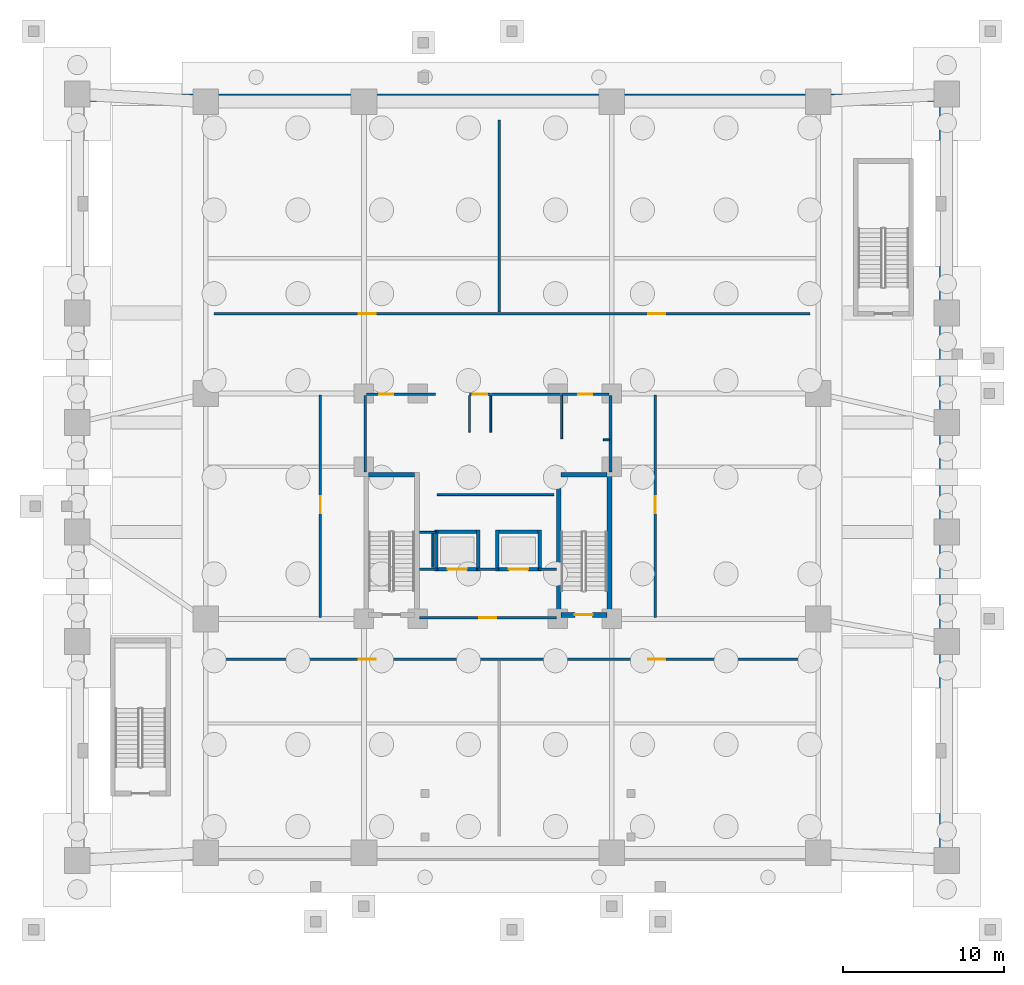
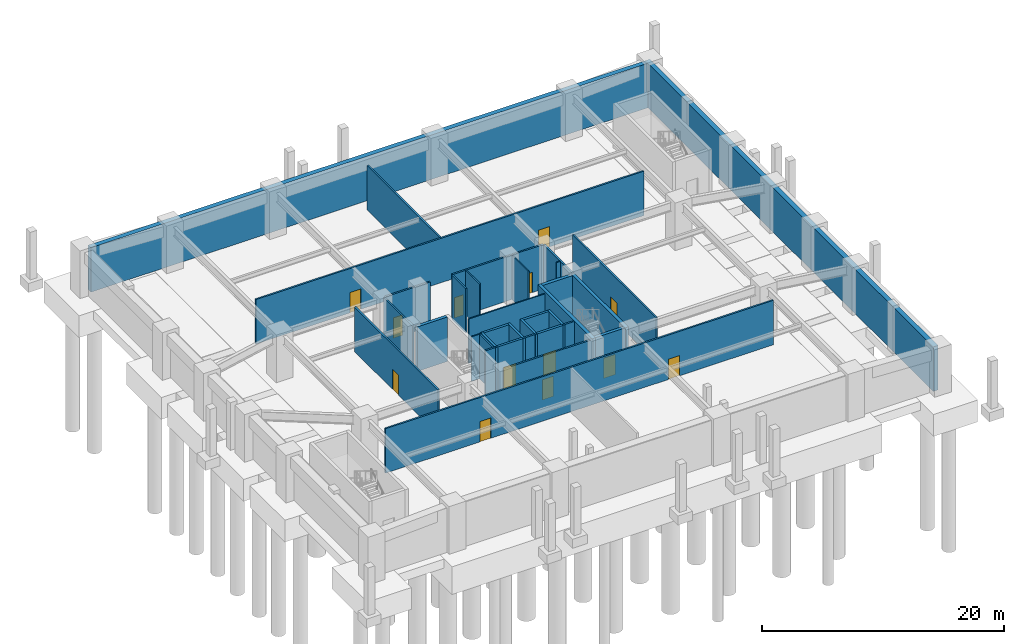
# One storey, part 4 of 8: 37 walls, 13 doors, 13 openings.
"""IFC4 building model written with IfcOpenShell, lengths in metres."""

from ifc_helpers import new_model, si_unit, derived_unit, direction, frame, frame_2d, origin, place, context, subcontext, project, spatial, rectangle, extrude, material, layer, layer_set, type_object, element, fill, save


model = new_model("IFC4")

# Units and contexts
model_context = context("Model", 3, precision=1e-05, world=origin(), true_north=direction((0.0, 1.0)))
body_context = subcontext(model_context, "Body", "Model", "MODEL_VIEW")
ifc_project = project(units=[si_unit("LENGTHUNIT", "METRE"), si_unit("AREAUNIT", "SQUARE_METRE"), si_unit("VOLUMEUNIT", "CUBIC_METRE"), si_unit("PLANEANGLEUNIT", "RADIAN"), si_unit("MASSUNIT", "GRAM", prefix="KILO"), derived_unit("THERMALTRANSMITTANCEUNIT", [(si_unit("MASSUNIT", "GRAM", prefix="KILO"), 1), (si_unit("TIMEUNIT", "SECOND"), -3), (si_unit("THERMODYNAMICTEMPERATUREUNIT", "KELVIN"), -1)])], contexts=[model_context])

# Site, building, storey
site_placement = place(None, origin())
site = spatial("IfcSite", under=ifc_project, at=site_placement, CompositionType="ELEMENT")
building_placement = place(site_placement, origin())
building = spatial("IfcBuilding", under=site, at=building_placement, Name="Korrvale Station Residences", CompositionType="ELEMENT")
storey_placement = place(building_placement, frame((0.0, 0.0, -9.60009765625)))
storey = spatial("IfcBuildingStorey", under=building, at=storey_placement, Name="B02", CompositionType="ELEMENT", Elevation=-9.60009765625)

# Walls
ifc_material_1 = material(Name="Concrete C70/85", Category="concrete")
ifc_layer_1 = layer(ifc_material_1, 0.300048828125, Name="Concrete C70/85")
ifc_layer_set_1 = layer_set([ifc_layer_1], Name="Concrete C70/85")
wall_type_1 = type_object("IfcWallType", Name="WAL-CORE-300-C70", PredefinedType="SHEAR", material=ifc_layer_set_1)
wall_1_placement = place(storey_placement, frame((18.10009765625, 23.949951171875, 0.0), z_axis=(0.0, 0.0, 1.0), x_axis=(1.0, 0.0, 0.0)))
element("IfcWall", 1, at=wall_1_placement, inside=storey, type_object=wall_type_1, Name="B02 ST-1 Core Shear Wall North", PredefinedType="SHEAR", context=body_context, shape_type="SweptSolid", body=[
    extrude(rectangle(XDim=2.849853515625, YDim=0.300048828125, at=frame_2d((1.4248046875, 0.0))), origin(), (0.0, 0.0, 1.0), 4.47998046875),
])
for number, where, z_axis, x_axis, name in (
    (2, (29.89990234375, 15.10009765625, 0.0), (0.0, 0.0, 1.0), (0.0, 1.0, 0.0), "B02 ST-2 Core Shear Wall West"),
    (3, (33.050048828125, 15.10009765625, 0.0), (0.0, 0.0, 1.0), (0.0, 1.0, 0.0), "B02 ST-2 Core Shear Wall East"),
):
    element("IfcWall", number, at=place(storey_placement, frame(where, z_axis=z_axis, x_axis=x_axis)), inside=storey, type_object=wall_type_1, Name=name, PredefinedType="SHEAR", context=body_context, shape_type="SweptSolid", body=[
        extrude(rectangle(XDim=9.0, YDim=0.300048828125, at=frame_2d((4.5, 0.0))), origin(), (0.0, 0.0, 1.0), 4.47998046875),
    ])
wall_2_placement = place(storey_placement, frame((30.050048828125, 23.949951171875, 0.0), z_axis=(0.0, 0.0, 1.0), x_axis=(1.0, 0.0, 0.0)))
element("IfcWall", 4, at=wall_2_placement, inside=storey, type_object=wall_type_1, Name="B02 ST-2 Core Shear Wall North", PredefinedType="SHEAR", context=body_context, shape_type="SweptSolid", body=[
    extrude(rectangle(XDim=2.849853515625, YDim=0.300048828125, at=frame_2d((1.4248046875, 0.0))), origin(), (0.0, 0.0, 1.0), 4.47998046875),
])

# Wall, opening, door
wall_3_placement = place(storey_placement, frame((30.050048828125, 15.25, 0.0), z_axis=(0.0, 0.0, 1.0), x_axis=(1.0, 0.0, 0.0)))
wall_3 = element("IfcWall", 5, at=wall_3_placement, inside=storey, type_object=wall_type_1, Name="B02 ST-2 Core Shear Wall South", PredefinedType="SHEAR", context=body_context, shape_type="SweptSolid", body=[
    extrude(rectangle(XDim=2.849853515625, YDim=0.300048828125, at=frame_2d((1.4248046875, 0.0))), origin(), (0.0, 0.0, 1.0), 4.47998046875),
])
opening_1_placement = place(wall_3_placement, frame((0.860107421875, 0.0, 0.0)))
opening_1 = element("IfcOpeningElement", 6, at=opening_1_placement, cuts=wall_3, Name="Opening SD-1100", PredefinedType="OPENING", context=body_context, shape_type="SweptSolid", body=[
    extrude(rectangle(XDim=1.10009765625, YDim=2.050048828125, at=frame_2d((0.550048828125, 1.02490234375))), frame((0.0, 0.16015625, 0.0), z_axis=(0.0, -1.0, 0.0), x_axis=(1.0, 0.0, 0.0)), (0.0, 0.0, 1.0), 0.320068359375),
])
ifc_material_2 = material(Name="Hollow-metal fire-rated stair door with closer", Category="steel")
door_type_1 = type_object("IfcDoorType", Name="DR-STAIR-1100", OperationType="NOTDEFINED", PredefinedType="DOOR", material=ifc_material_2)
door_1_placement = place(opening_1_placement, origin())
door_1 = element("IfcDoor", 7, at=door_1_placement, inside=storey, type_object=door_type_1, Name="B02 ST-2 Exit Stair Door", OperationType="SINGLE_SWING_RIGHT", OverallHeight=2.050048828125, OverallWidth=1.10009765625, PredefinedType="DOOR", context=body_context, shape_type="SweptSolid", body=[
    extrude(rectangle(XDim=1.10009765625, YDim=2.050048828125, at=frame_2d((0.550048828125, 1.02490234375))), frame((0.0, 0.02490234375, 0.0), z_axis=(0.0, -1.0, 0.0), x_axis=(1.0, 0.0, 0.0)), (0.0, 0.0, 1.0), 0.050048828125),
])
fill(opening_1, door_1)

# Walls
ifc_material_3 = material(Name="Acoustic steel-stud gypsum board partition", Category="steel")
ifc_layer_2 = layer(ifc_material_3, 0.1201171875, Name="Acoustic steel-stud gypsum board partition")
ifc_layer_set_2 = layer_set([ifc_layer_2], Name="Acoustic steel-stud gypsum board partition")
wall_type_2 = type_object("IfcWallType", Name="WAL-PART-125", PredefinedType="PARTITIONING", material=ifc_layer_set_2)
wall_4_placement = place(storey_placement, frame((22.080078125, 18.199951171875, 0.0), z_axis=(0.0, 0.0, 1.0), x_axis=(0.0, 1.0, 0.0)))
element("IfcWall", 8, at=wall_4_placement, inside=storey, type_object=wall_type_2, Name="B02 Core Partition CW-RSWT", PredefinedType="PARTITIONING", context=body_context, shape_type="SweptSolid", body=[
    extrude(rectangle(XDim=2.1201171875, YDim=0.1201171875, at=frame_2d((1.06005859375, 0.0))), origin(), (0.0, 0.0, 1.0), 4.47998046875),
])
wall_5_placement = place(storey_placement, frame((22.280029296875, 20.3798828125, 0.0), z_axis=(0.0, 0.0, 1.0), x_axis=(-1.0, 0.0, 0.0)))
element("IfcWall", 9, at=wall_5_placement, inside=storey, type_object=wall_type_2, Name="B02 Core Partition CW-RSWT-N", PredefinedType="PARTITIONING", context=body_context, shape_type="SweptSolid", body=[
    extrude(rectangle(XDim=1.02001953125, YDim=0.1201171875, at=frame_2d((0.510009765625, 0.0))), origin(), (0.0, 0.0, 1.0), 4.47998046875),
])
for number, where, z_axis, x_axis, name in (
    (10, (24.360107421875, 26.60009765625, 0.0), (0.0, 0.0, 1.0), (0.0, 1.0, 0.0), "B02 Core Partition CW-PSG-W"),
    (11, (25.679931640625, 26.60009765625, 0.0), (0.0, 0.0, 1.0), (0.0, 1.0, 0.0), "B02 Core Partition CW-PSG-E"),
):
    element("IfcWall", number, at=place(storey_placement, frame(where, z_axis=z_axis, x_axis=x_axis)), inside=storey, type_object=wall_type_2, Name=name, PredefinedType="PARTITIONING", context=body_context, shape_type="SweptSolid", body=[
        extrude(rectangle(XDim=2.27001953125, YDim=0.1201171875, at=frame_2d((1.135009765625, 0.0))), origin(), (0.0, 0.0, 1.0), 4.47998046875),
    ])
wall_6_placement = place(storey_placement, frame((30.080078125, 26.179931640625, 0.0), z_axis=(0.0, 0.0, 1.0), x_axis=(0.0, 1.0, 0.0)))
element("IfcWall", 12, at=wall_6_placement, inside=storey, type_object=wall_type_2, Name="B02 Core Partition CW-CS-W", PredefinedType="PARTITIONING", context=body_context, shape_type="SweptSolid", body=[
    extrude(rectangle(XDim=2.68017578125, YDim=0.1201171875, at=frame_2d((1.340087890625, 0.0))), origin(), (0.0, 0.0, 1.0), 4.47998046875),
])
wall_7_placement = place(storey_placement, frame((32.679931640625, 26.1201171875, 0.0), z_axis=(0.0, 0.0, 1.0), x_axis=(1.0, 0.0, 0.0)))
element("IfcWall", 13, at=wall_7_placement, inside=storey, type_object=wall_type_2, Name="B02 Core Partition CW-CS-S", PredefinedType="PARTITIONING", context=body_context, shape_type="SweptSolid", body=[
    extrude(rectangle(XDim=0.380126953125, YDim=0.1201171875, at=frame_2d((0.18994140625, 0.0))), origin(), (0.0, 0.0, 1.0), 4.47998046875),
])
wall_8_placement = place(storey_placement, frame((22.35009765625, 22.719970703125, 0.0), z_axis=(0.0, 0.0, 1.0), x_axis=(1.0, 0.0, 0.0)))
element("IfcWall", 14, at=wall_8_placement, inside=storey, type_object=wall_type_2, Name="B02 Core Partition CW-BM-M", PredefinedType="PARTITIONING", context=body_context, shape_type="SweptSolid", body=[
    extrude(rectangle(XDim=7.25, YDim=0.1201171875, at=frame_2d((3.625, 0.0))), origin(), (0.0, 0.0, 1.0), 4.47998046875),
])

# Wall, opening, door
ifc_material_4 = material(Name="Fire-rated twin-stud gypsum and mineral wool shaftwall assembly", Category="gypsum")
ifc_layer_3 = layer(ifc_material_4, 0.159912109375, Name="Fire-rated twin-stud gypsum and mineral wool shaftwall assembly")
ifc_layer_set_3 = layer_set([ifc_layer_3], Name="Fire-rated twin-stud gypsum and mineral wool shaftwall assembly")
wall_type_3 = type_object("IfcWallType", Name="WAL-PART-200", PredefinedType="PARTITIONING", material=ifc_layer_set_3)
wall_9_placement = place(storey_placement, frame((21.25, 15.080078125, 0.0), z_axis=(0.0, 0.0, 1.0), x_axis=(1.0, 0.0, 0.0)))
wall_9 = element("IfcWall", 15, at=wall_9_placement, inside=storey, type_object=wall_type_3, Name="B02 Core Partition CW-FFL-S", PredefinedType="PARTITIONING", context=body_context, shape_type="SweptSolid", body=[
    extrude(rectangle(XDim=8.5, YDim=0.159912109375, at=frame_2d((4.25, 0.0))), origin(), (0.0, 0.0, 1.0), 4.47998046875),
])
opening_2_placement = place(wall_9_placement, frame((3.72509765625, 0.0, 0.0)))
opening_2 = element("IfcOpeningElement", 16, at=opening_2_placement, cuts=wall_9, Name="Opening FD-1050", PredefinedType="OPENING", context=body_context, shape_type="SweptSolid", body=[
    extrude(rectangle(XDim=1.050048828125, YDim=2.050048828125, at=frame_2d((0.52490234375, 1.02490234375))), frame((0.0, 0.08984375, 0.0), z_axis=(0.0, -1.0, 0.0), x_axis=(1.0, 0.0, 0.0)), (0.0, 0.0, 1.0), 0.179931640625),
])
ifc_material_5 = material(Name="Fire-rated mineral-core timber lobby door", Category="wood")
door_type_2 = type_object("IfcDoorType", Name="DR-CORE-1050", OperationType="NOTDEFINED", PredefinedType="DOOR", material=ifc_material_5)
door_2_placement = place(opening_2_placement, origin())
door_2 = element("IfcDoor", 17, at=door_2_placement, inside=storey, type_object=door_type_2, Name="B02 Firefighting Lobby Entry Door", OperationType="SINGLE_SWING_LEFT", OverallHeight=2.050048828125, OverallWidth=1.050048828125, PredefinedType="DOOR", context=body_context, shape_type="SweptSolid", body=[
    extrude(rectangle(XDim=1.050048828125, YDim=2.050048828125, at=frame_2d((0.52490234375, 1.02490234375))), frame((0.0, 0.02490234375, 0.0), z_axis=(0.0, -1.0, 0.0), x_axis=(1.0, 0.0, 0.0)), (0.0, 0.0, 1.0), 0.050048828125),
])
fill(opening_2, door_2)

# Walls
wall_10_placement = place(storey_placement, frame((21.25, 18.080078125, 0.0), z_axis=(0.0, 0.0, 1.0), x_axis=(1.0, 0.0, 0.0)))
element("IfcWall", 18, at=wall_10_placement, inside=storey, type_object=wall_type_3, Name="B02 Core Partition CW-FFL-N1", PredefinedType="PARTITIONING", context=body_context, shape_type="SweptSolid", body=[
    extrude(rectangle(XDim=1.10009765625, YDim=0.159912109375, at=frame_2d((0.550048828125, 0.0))), origin(), (0.0, 0.0, 1.0), 4.47998046875),
])
wall_11_placement = place(storey_placement, frame((24.85009765625, 18.080078125, 0.0), z_axis=(0.0, 0.0, 1.0), x_axis=(1.0, 0.0, 0.0)))
element("IfcWall", 19, at=wall_11_placement, inside=storey, type_object=wall_type_3, Name="B02 Core Partition CW-FFL-N2", PredefinedType="PARTITIONING", context=body_context, shape_type="SweptSolid", body=[
    extrude(rectangle(XDim=1.2998046875, YDim=0.159912109375, at=frame_2d((0.64990234375, 0.0))), origin(), (0.0, 0.0, 1.0), 4.47998046875),
])
wall_12_placement = place(storey_placement, frame((28.64990234375, 18.080078125, 0.0), z_axis=(0.0, 0.0, 1.0), x_axis=(1.0, 0.0, 0.0)))
element("IfcWall", 20, at=wall_12_placement, inside=storey, type_object=wall_type_3, Name="B02 Core Partition CW-FFL-N3", PredefinedType="PARTITIONING", context=body_context, shape_type="SweptSolid", body=[
    extrude(rectangle(XDim=1.10009765625, YDim=0.159912109375, at=frame_2d((0.550048828125, 0.0))), origin(), (0.0, 0.0, 1.0), 4.47998046875),
])
for number, where, z_axis, x_axis, name in (
    (21, (17.8798828125, 24.1201171875, 0.0), (0.0, 0.0, 1.0), (0.0, 1.0, 0.0), "B02 Core Partition CW-W-N"),
    (22, (33.1201171875, 24.1201171875, 0.0), (0.0, 0.0, 1.0), (0.0, 1.0, 0.0), "B02 Core Partition CW-E-N"),
):
    element("IfcWall", number, at=place(storey_placement, frame(where, z_axis=z_axis, x_axis=x_axis)), inside=storey, type_object=wall_type_3, Name=name, PredefinedType="PARTITIONING", context=body_context, shape_type="SweptSolid", body=[
        extrude(rectangle(XDim=4.759765625, YDim=0.159912109375, at=frame_2d((2.3798828125, 0.0))), origin(), (0.0, 0.0, 1.0), 4.47998046875),
    ])

# Wall, opening, door
wall_13_placement = place(storey_placement, frame((24.360107421875, 28.949951171875, 0.0), z_axis=(0.0, 0.0, 1.0), x_axis=(1.0, 0.0, 0.0)))
wall_13 = element("IfcWall", 23, at=wall_13_placement, inside=storey, type_object=wall_type_3, Name="B02 Core Partition CW-LLOB-N", PredefinedType="PARTITIONING", context=body_context, shape_type="SweptSolid", body=[
    extrude(rectangle(XDim=1.31982421875, YDim=0.159912109375, at=frame_2d((0.659912109375, 0.0))), origin(), (0.0, 0.0, 1.0), 4.47998046875),
])
opening_3_placement = place(wall_13_placement, frame((0.2099609375, 0.0, 0.0)))
opening_3 = element("IfcOpeningElement", 24, at=opening_3_placement, cuts=wall_13, Name="Opening DI-900", PredefinedType="OPENING", context=body_context, shape_type="SweptSolid", body=[
    extrude(rectangle(XDim=0.89990234375, YDim=2.050048828125, at=frame_2d((0.449951171875, 1.02490234375))), frame((0.0, 0.08984375, 0.0), z_axis=(0.0, -1.0, 0.0), x_axis=(1.0, 0.0, 0.0)), (0.0, 0.0, 1.0), 0.179931640625),
])
ifc_material_6 = material(Name="Painted solid-core timber interior room door", Category="wood")
door_type_3 = type_object("IfcDoorType", Name="DR-INT-900", OperationType="NOTDEFINED", PredefinedType="DOOR", material=ifc_material_6)
door_3_placement = place(opening_3_placement, origin())
door_3 = element("IfcDoor", 25, at=door_3_placement, inside=storey, type_object=door_type_3, Name="B02 Central Hallway North Passage Door", OperationType="SINGLE_SWING_RIGHT", OverallHeight=2.050048828125, OverallWidth=0.89990234375, PredefinedType="DOOR", context=body_context, shape_type="SweptSolid", body=[
    extrude(rectangle(XDim=0.89990234375, YDim=2.050048828125, at=frame_2d((0.449951171875, 1.02490234375))), frame((0.0, 0.02490234375, 0.0), z_axis=(0.0, -1.0, 0.0), x_axis=(1.0, 0.0, 0.0)), (0.0, 0.0, 1.0), 0.050048828125),
])
fill(opening_3, door_3)

wall_14_placement = place(storey_placement, frame((17.9599609375, 28.949951171875, 0.0), z_axis=(0.0, 0.0, 1.0), x_axis=(1.0, 0.0, 0.0)))
wall_14 = element("IfcWall", 26, at=wall_14_placement, inside=storey, type_object=wall_type_3, Name="B02 Core Partition CW-NW", PredefinedType="PARTITIONING", context=body_context, shape_type="SweptSolid", body=[
    extrude(rectangle(XDim=4.2900390625, YDim=0.159912109375, at=frame_2d((2.14501953125, 0.0))), origin(), (0.0, 0.0, 1.0), 4.47998046875),
])
opening_4_placement = place(wall_14_placement, frame((0.794921875, 0.0, 0.0)))
opening_4 = element("IfcOpeningElement", 27, at=opening_4_placement, cuts=wall_14, Name="Opening DB-860", PredefinedType="OPENING", context=body_context, shape_type="SweptSolid", body=[
    extrude(rectangle(XDim=0.860107421875, YDim=2.050048828125, at=frame_2d((0.43017578125, 1.02490234375))), frame((0.0, 0.08984375, 0.0), z_axis=(0.0, -1.0, 0.0), x_axis=(1.0, 0.0, 0.0)), (0.0, 0.0, 1.0), 0.179931640625),
])
ifc_material_7 = material(Name="Moisture-resistant solid-core bathroom door", Category="timber")
door_type_4 = type_object("IfcDoorType", Name="DR-BATH-860", OperationType="NOTDEFINED", PredefinedType="DOOR", material=ifc_material_7)
door_4_placement = place(opening_4_placement, origin())
door_4 = element("IfcDoor", 28, at=door_4_placement, inside=storey, type_object=door_type_4, Name="B02 Electrical Riser Access Door", OperationType="SINGLE_SWING_LEFT", OverallHeight=2.050048828125, OverallWidth=0.860107421875, PredefinedType="DOOR", context=body_context, shape_type="SweptSolid", body=[
    extrude(rectangle(XDim=0.860107421875, YDim=2.050048828125, at=frame_2d((0.43017578125, 1.02490234375))), frame((0.0, 0.02490234375, 0.0), z_axis=(0.0, -1.0, 0.0), x_axis=(1.0, 0.0, 0.0)), (0.0, 0.0, 1.0), 0.050048828125),
])
fill(opening_4, door_4)

wall_15_placement = place(storey_placement, frame((30.080078125, 28.949951171875, 0.0), z_axis=(0.0, 0.0, 1.0), x_axis=(1.0, 0.0, 0.0)))
wall_15 = element("IfcWall", 29, at=wall_15_placement, inside=storey, type_object=wall_type_3, Name="B02 Core Partition CW-CS-N", PredefinedType="PARTITIONING", context=body_context, shape_type="SweptSolid", body=[
    extrude(rectangle(XDim=2.9599609375, YDim=0.159912109375, at=frame_2d((1.47998046875, 0.0))), origin(), (0.0, 0.0, 1.0), 4.47998046875),
])
opening_5_placement = place(wall_15_placement, frame((1.044921875, 0.0, 0.0)))
opening_5 = element("IfcOpeningElement", 30, at=opening_5_placement, cuts=wall_15, Name="Opening DB-860", PredefinedType="OPENING", context=body_context, shape_type="SweptSolid", body=[
    extrude(rectangle(XDim=0.860107421875, YDim=2.050048828125, at=frame_2d((0.43017578125, 1.02490234375))), frame((0.0, 0.08984375, 0.0), z_axis=(0.0, -1.0, 0.0), x_axis=(1.0, 0.0, 0.0)), (0.0, 0.0, 1.0), 0.179931640625),
])
door_5_placement = place(opening_5_placement, origin())
door_5 = element("IfcDoor", 31, at=door_5_placement, inside=storey, type_object=door_type_4, Name="B02 Core Equipment Room Door", OperationType="SINGLE_SWING_RIGHT", OverallHeight=2.050048828125, OverallWidth=0.860107421875, PredefinedType="DOOR", context=body_context, shape_type="SweptSolid", body=[
    extrude(rectangle(XDim=0.860107421875, YDim=2.050048828125, at=frame_2d((0.43017578125, 1.02490234375))), frame((0.0, 0.02490234375, 0.0), z_axis=(0.0, -1.0, 0.0), x_axis=(1.0, 0.0, 0.0)), (0.0, 0.0, 1.0), 0.050048828125),
])
fill(opening_5, door_5)

# Wall
wall_16_placement = place(storey_placement, frame((25.719970703125, 28.949951171875, 0.0), z_axis=(0.0, 0.0, 1.0), x_axis=(1.0, 0.0, 0.0)))
element("IfcWall", 32, at=wall_16_placement, inside=storey, type_object=wall_type_3, Name="B02 Core Partition CW-BM-N", PredefinedType="PARTITIONING", context=body_context, shape_type="SweptSolid", body=[
    extrude(rectangle(XDim=4.300048828125, YDim=0.159912109375, at=frame_2d((2.14990234375, 0.0))), origin(), (0.0, 0.0, 1.0), 4.47998046875),
])

# Wall, openings, doors
wall_17_placement = place(storey_placement, frame((8.5, 12.5, 0.0), z_axis=(0.0, 0.0, 1.0), x_axis=(1.0, 0.0, 0.0)))
wall_17 = element("IfcWall", 33, at=wall_17_placement, inside=storey, type_object=wall_type_3, Name="B02 Interior Partition W-S1", PredefinedType="PARTITIONING", context=body_context, shape_type="SweptSolid", body=[
    extrude(rectangle(XDim=37.0, YDim=0.159912109375, at=frame_2d((18.5, 0.0))), origin(), (0.0, 0.0, 1.0), 4.47998046875),
])
opening_6_placement = place(wall_17_placement, frame((8.97509765625, 0.0, 0.0)))
opening_6 = element("IfcOpeningElement", 34, at=opening_6_placement, cuts=wall_17, Name="Opening FD-1050", PredefinedType="OPENING", context=body_context, shape_type="SweptSolid", body=[
    extrude(rectangle(XDim=1.050048828125, YDim=2.050048828125, at=frame_2d((0.52490234375, 1.02490234375))), frame((0.0, 0.08984375, 0.0), z_axis=(0.0, -1.0, 0.0), x_axis=(1.0, 0.0, 0.0)), (0.0, 0.0, 1.0), 0.179931640625),
])
opening_7_placement = place(wall_17_placement, frame((26.97509765625, 0.0, 0.0)))
opening_7 = element("IfcOpeningElement", 35, at=opening_7_placement, cuts=wall_17, Name="Opening FD-1050", PredefinedType="OPENING", context=body_context, shape_type="SweptSolid", body=[
    extrude(rectangle(XDim=1.050048828125, YDim=2.050048828125, at=frame_2d((0.52490234375, 1.02490234375))), frame((0.0, 0.08984375, 0.0), z_axis=(0.0, -1.0, 0.0), x_axis=(1.0, 0.0, 0.0)), (0.0, 0.0, 1.0), 0.179931640625),
])
door_6_placement = place(opening_6_placement, origin())
door_6 = element("IfcDoor", 36, at=door_6_placement, inside=storey, type_object=door_type_2, Name="B02 Booster Pump Room Door", OperationType="SINGLE_SWING_LEFT", OverallHeight=2.050048828125, OverallWidth=1.050048828125, PredefinedType="DOOR", context=body_context, shape_type="SweptSolid", body=[
    extrude(rectangle(XDim=1.050048828125, YDim=2.050048828125, at=frame_2d((0.52490234375, 1.02490234375))), frame((0.0, 0.02490234375, 0.0), z_axis=(0.0, -1.0, 0.0), x_axis=(1.0, 0.0, 0.0)), (0.0, 0.0, 1.0), 0.050048828125),
])
fill(opening_6, door_6)
door_7_placement = place(opening_7_placement, origin())
door_7 = element("IfcDoor", 37, at=door_7_placement, inside=storey, type_object=door_type_2, Name="B02 Stormwater Plant Door", OperationType="SINGLE_SWING_RIGHT", OverallHeight=2.050048828125, OverallWidth=1.050048828125, PredefinedType="DOOR", context=body_context, shape_type="SweptSolid", body=[
    extrude(rectangle(XDim=1.050048828125, YDim=2.050048828125, at=frame_2d((0.52490234375, 1.02490234375))), frame((0.0, 0.02490234375, 0.0), z_axis=(0.0, -1.0, 0.0), x_axis=(1.0, 0.0, 0.0)), (0.0, 0.0, 1.0), 0.050048828125),
])
fill(opening_7, door_7)

wall_18_placement = place(storey_placement, frame((8.5, 33.949951171875, 0.0), z_axis=(0.0, 0.0, 1.0), x_axis=(1.0, 0.0, 0.0)))
wall_18 = element("IfcWall", 38, at=wall_18_placement, inside=storey, type_object=wall_type_3, Name="B02 Interior Partition W-N1", PredefinedType="PARTITIONING", context=body_context, shape_type="SweptSolid", body=[
    extrude(rectangle(XDim=37.0, YDim=0.159912109375, at=frame_2d((18.5, 0.0))), origin(), (0.0, 0.0, 1.0), 4.47998046875),
])
opening_8_placement = place(wall_18_placement, frame((8.97509765625, 0.0, 0.0)))
opening_8 = element("IfcOpeningElement", 39, at=opening_8_placement, cuts=wall_18, Name="Opening FD-1050", PredefinedType="OPENING", context=body_context, shape_type="SweptSolid", body=[
    extrude(rectangle(XDim=1.050048828125, YDim=2.050048828125, at=frame_2d((0.52490234375, 1.02490234375))), frame((0.0, 0.08984375, 0.0), z_axis=(0.0, -1.0, 0.0), x_axis=(1.0, 0.0, 0.0)), (0.0, 0.0, 1.0), 0.179931640625),
])
opening_9_placement = place(wall_18_placement, frame((26.97509765625, 0.0, 0.0)))
opening_9 = element("IfcOpeningElement", 40, at=opening_9_placement, cuts=wall_18, Name="Opening FD-1050", PredefinedType="OPENING", context=body_context, shape_type="SweptSolid", body=[
    extrude(rectangle(XDim=1.050048828125, YDim=2.050048828125, at=frame_2d((0.52490234375, 1.02490234375))), frame((0.0, 0.08984375, 0.0), z_axis=(0.0, -1.0, 0.0), x_axis=(1.0, 0.0, 0.0)), (0.0, 0.0, 1.0), 0.179931640625),
])
door_8_placement = place(opening_8_placement, origin())
door_8 = element("IfcDoor", 41, at=door_8_placement, inside=storey, type_object=door_type_2, Name="B02 Substation Vault Door", OperationType="SINGLE_SWING_LEFT", OverallHeight=2.050048828125, OverallWidth=1.050048828125, PredefinedType="DOOR", context=body_context, shape_type="SweptSolid", body=[
    extrude(rectangle(XDim=1.050048828125, YDim=2.050048828125, at=frame_2d((0.52490234375, 1.02490234375))), frame((0.0, 0.02490234375, 0.0), z_axis=(0.0, -1.0, 0.0), x_axis=(1.0, 0.0, 0.0)), (0.0, 0.0, 1.0), 0.050048828125),
])
fill(opening_8, door_8)
door_9_placement = place(opening_9_placement, origin())
door_9 = element("IfcDoor", 42, at=door_9_placement, inside=storey, type_object=door_type_2, Name="B02 Generator Plant Door", OperationType="SINGLE_SWING_RIGHT", OverallHeight=2.050048828125, OverallWidth=1.050048828125, PredefinedType="DOOR", context=body_context, shape_type="SweptSolid", body=[
    extrude(rectangle(XDim=1.050048828125, YDim=2.050048828125, at=frame_2d((0.52490234375, 1.02490234375))), frame((0.0, 0.02490234375, 0.0), z_axis=(0.0, -1.0, 0.0), x_axis=(1.0, 0.0, 0.0)), (0.0, 0.0, 1.0), 0.050048828125),
])
fill(opening_9, door_9)

# Wall
wall_19_placement = place(storey_placement, frame((26.199951171875, 34.050048828125, 0.0), z_axis=(0.0, 0.0, 1.0), x_axis=(0.0, 1.0, 0.0)))
element("IfcWall", 43, at=wall_19_placement, inside=storey, type_object=wall_type_3, Name="B02 Interior Partition W-M2", PredefinedType="PARTITIONING", context=body_context, shape_type="SweptSolid", body=[
    extrude(rectangle(XDim=11.949951171875, YDim=0.159912109375, at=frame_2d((5.97509765625, 0.0))), origin(), (0.0, 0.0, 1.0), 4.47998046875),
])

# Wall, opening, door
wall_20_placement = place(storey_placement, frame((15.10009765625, 15.10009765625, 0.0), z_axis=(0.0, 0.0, 1.0), x_axis=(0.0, 1.0, 0.0)))
wall_20 = element("IfcWall", 44, at=wall_20_placement, inside=storey, type_object=wall_type_3, Name="B02 Interior Partition W-W1", PredefinedType="PARTITIONING", context=body_context, shape_type="SweptSolid", body=[
    extrude(rectangle(XDim=13.7998046875, YDim=0.159912109375, at=frame_2d((6.89990234375, 0.0))), origin(), (0.0, 0.0, 1.0), 4.47998046875),
])
opening_10_placement = place(wall_20_placement, frame((6.47509765625, 0.0, 0.0)))
opening_10 = element("IfcOpeningElement", 45, at=opening_10_placement, cuts=wall_20, Name="Opening FD-1050", PredefinedType="OPENING", context=body_context, shape_type="SweptSolid", body=[
    extrude(rectangle(XDim=1.050048828125, YDim=2.050048828125, at=frame_2d((0.52490234375, 1.02490234375))), frame((0.0, 0.08984375, 0.0), z_axis=(0.0, -1.0, 0.0), x_axis=(1.0, 0.0, 0.0)), (0.0, 0.0, 1.0), 0.179931640625),
])
door_10_placement = place(opening_10_placement, origin())
door_10 = element("IfcDoor", 46, at=door_10_placement, inside=storey, type_object=door_type_2, Name="B02 Bicycle Vault Door", OperationType="SINGLE_SWING_LEFT", OverallHeight=2.050048828125, OverallWidth=1.050048828125, PredefinedType="DOOR", context=body_context, shape_type="SweptSolid", body=[
    extrude(rectangle(XDim=1.050048828125, YDim=2.050048828125, at=frame_2d((0.52490234375, 1.02490234375))), frame((0.0, 0.02490234375, 0.0), z_axis=(0.0, -1.0, 0.0), x_axis=(1.0, 0.0, 0.0)), (0.0, 0.0, 1.0), 0.050048828125),
])
fill(opening_10, door_10)

wall_21_placement = place(storey_placement, frame((35.89990234375, 15.10009765625, 0.0), z_axis=(0.0, 0.0, 1.0), x_axis=(0.0, 1.0, 0.0)))
wall_21 = element("IfcWall", 47, at=wall_21_placement, inside=storey, type_object=wall_type_3, Name="B02 Interior Partition W-E1", PredefinedType="PARTITIONING", context=body_context, shape_type="SweptSolid", body=[
    extrude(rectangle(XDim=13.7998046875, YDim=0.159912109375, at=frame_2d((6.89990234375, 0.0))), origin(), (0.0, 0.0, 1.0), 4.47998046875),
])
opening_11_placement = place(wall_21_placement, frame((6.47509765625, 0.0, 0.0)))
opening_11 = element("IfcOpeningElement", 48, at=opening_11_placement, cuts=wall_21, Name="Opening FD-1050", PredefinedType="OPENING", context=body_context, shape_type="SweptSolid", body=[
    extrude(rectangle(XDim=1.050048828125, YDim=2.050048828125, at=frame_2d((0.52490234375, 1.02490234375))), frame((0.0, 0.08984375, 0.0), z_axis=(0.0, -1.0, 0.0), x_axis=(1.0, 0.0, 0.0)), (0.0, 0.0, 1.0), 0.179931640625),
])
door_11_placement = place(opening_11_placement, origin())
door_11 = element("IfcDoor", 49, at=door_11_placement, inside=storey, type_object=door_type_2, Name="B02 Refuse Compactor Room Door", OperationType="SINGLE_SWING_RIGHT", OverallHeight=2.050048828125, OverallWidth=1.050048828125, PredefinedType="DOOR", context=body_context, shape_type="SweptSolid", body=[
    extrude(rectangle(XDim=1.050048828125, YDim=2.050048828125, at=frame_2d((0.52490234375, 1.02490234375))), frame((0.0, 0.02490234375, 0.0), z_axis=(0.0, -1.0, 0.0), x_axis=(1.0, 0.0, 0.0)), (0.0, 0.0, 1.0), 0.050048828125),
])
fill(opening_11, door_11)

# Walls
ifc_material_8 = material(Name="Concrete C50/60", Category="concrete")
ifc_layer_4 = layer(ifc_material_8, 0.449951171875, Name="Concrete C50/60")
ifc_layer_set_4 = layer_set([ifc_layer_4], Name="Concrete C50/60")
wall_type_4 = type_object("IfcWallType", Name="WAL-RET-450", PredefinedType="USERDEFINED", material=ifc_layer_set_4)
wall_22_placement = place(storey_placement, frame((0.449951171875, 47.375, 0.0), z_axis=(0.0, 0.0, 1.0), x_axis=(1.0, 0.0, 0.0)))
element("IfcWall", 50, at=wall_22_placement, inside=storey, type_object=wall_type_4, Name="B02 Perimeter Basement Retaining Wall N", ObjectType="RETAININGWALL", PredefinedType="USERDEFINED", context=body_context, shape_type="SweptSolid", body=[
    extrude(rectangle(XDim=53.10009765625, YDim=0.449951171875, at=frame_2d((26.550048828125, 0.0))), origin(), (0.0, 0.0, 1.0), 4.47998046875),
])
wall_23_placement = place(storey_placement, frame((53.77490234375, 47.60009765625, 0.0), z_axis=(0.0, 0.0, 1.0), x_axis=(0.0, -1.0, 0.0)))
element("IfcWall", 51, at=wall_23_placement, inside=storey, type_object=wall_type_4, Name="B02 Perimeter Basement Retaining Wall E", ObjectType="RETAININGWALL", PredefinedType="USERDEFINED", context=body_context, shape_type="SweptSolid", body=[
    extrude(rectangle(XDim=47.60009765625, YDim=0.449951171875, at=frame_2d((23.800048828125, 0.0))), origin(), (0.0, 0.0, 1.0), 4.47998046875),
])

# Wall, opening, door
ifc_layer_5 = layer(ifc_material_1, 0.219970703125, Name="Concrete C70/85")
ifc_layer_set_5 = layer_set([ifc_layer_5], Name="Concrete C70/85")
wall_type_5 = type_object("IfcWallType", Name="WAL-SHAFT-220-C70", PredefinedType="SHEAR", material=ifc_layer_set_5)
wall_24_placement = place(storey_placement, frame((22.39990234375, 18.090087890625, 0.0), z_axis=(0.0, 0.0, 1.0), x_axis=(1.0, 0.0, 0.0)))
wall_24 = element("IfcWall", 52, at=wall_24_placement, inside=storey, type_object=wall_type_5, Name="B02 Elevator FFL-1 Hoistway Wall South", PredefinedType="SHEAR", context=body_context, shape_type="SweptSolid", body=[
    extrude(rectangle(XDim=2.400146484375, YDim=0.219970703125, at=frame_2d((1.2001953125, 0.0))), origin(), (0.0, 0.0, 1.0), 4.47998046875),
])
opening_12_placement = place(wall_24_placement, frame((0.60009765625, 0.0, 0.0)))
opening_12 = element("IfcOpeningElement", 53, at=opening_12_placement, cuts=wall_24, Name="Opening LD-FF1200", PredefinedType="OPENING", context=body_context, shape_type="SweptSolid", body=[
    extrude(rectangle(XDim=1.199951171875, YDim=2.14990234375, at=frame_2d((0.60009765625, 1.074951171875))), frame((0.0, 0.1201171875, 0.0), z_axis=(0.0, -1.0, 0.0), x_axis=(1.0, 0.0, 0.0)), (0.0, 0.0, 1.0), 0.239990234375),
])
ifc_material_9 = material(Name="Stainless-steel firefighter elevator landing sliding door", Category="steel")
door_type_5 = type_object("IfcDoorType", Name="DR-LIFT-FF1200", OperationType="SLIDING_TO_LEFT", PredefinedType="DOOR", material=ifc_material_9)
door_12_placement = place(opening_12_placement, origin())
door_12 = element("IfcDoor", 54, at=door_12_placement, inside=storey, type_object=door_type_5, Name="B02 Elevator FFL-1 Sliding Landing Door", OperationType="SLIDING_TO_LEFT", OverallHeight=2.14990234375, OverallWidth=1.199951171875, PredefinedType="DOOR", context=body_context, shape_type="SweptSolid", body=[
    extrude(rectangle(XDim=1.199951171875, YDim=2.14990234375, at=frame_2d((0.60009765625, 1.074951171875))), frame((0.0, 0.02490234375, 0.0), z_axis=(0.0, -1.0, 0.0), x_axis=(1.0, 0.0, 0.0)), (0.0, 0.0, 1.0), 0.050048828125),
])
fill(opening_12, door_12)

# Walls
wall_25_placement = place(storey_placement, frame((22.39990234375, 20.409912109375, 0.0), z_axis=(0.0, 0.0, 1.0), x_axis=(1.0, 0.0, 0.0)))
element("IfcWall", 55, at=wall_25_placement, inside=storey, type_object=wall_type_5, Name="B02 Elevator FFL-1 Hoistway Wall North", PredefinedType="SHEAR", context=body_context, shape_type="SweptSolid", body=[
    extrude(rectangle(XDim=2.400146484375, YDim=0.219970703125, at=frame_2d((1.2001953125, 0.0))), origin(), (0.0, 0.0, 1.0), 4.47998046875),
])
for number, where, z_axis, x_axis, name in (
    (56, (22.2900390625, 17.97998046875, 0.0), (0.0, 0.0, 1.0), (0.0, 1.0, 0.0), "B02 Elevator FFL-1 Hoistway Wall West"),
    (57, (24.909912109375, 17.97998046875, 0.0), (0.0, 0.0, 1.0), (0.0, 1.0, 0.0), "B02 Elevator FFL-1 Hoistway Wall East"),
):
    element("IfcWall", number, at=place(storey_placement, frame(where, z_axis=z_axis, x_axis=x_axis)), inside=storey, type_object=wall_type_5, Name=name, PredefinedType="SHEAR", context=body_context, shape_type="SweptSolid", body=[
        extrude(rectangle(XDim=2.5400390625, YDim=0.219970703125, at=frame_2d((1.27001953125, 0.0))), origin(), (0.0, 0.0, 1.0), 4.47998046875),
    ])

# Wall, opening, door
wall_26_placement = place(storey_placement, frame((26.199951171875, 18.090087890625, 0.0), z_axis=(0.0, 0.0, 1.0), x_axis=(1.0, 0.0, 0.0)))
wall_26 = element("IfcWall", 58, at=wall_26_placement, inside=storey, type_object=wall_type_5, Name="B02 Elevator FFL-2 Hoistway Wall South", PredefinedType="SHEAR", context=body_context, shape_type="SweptSolid", body=[
    extrude(rectangle(XDim=2.400146484375, YDim=0.219970703125, at=frame_2d((1.2001953125, 0.0))), origin(), (0.0, 0.0, 1.0), 4.47998046875),
])
opening_13_placement = place(wall_26_placement, frame((0.60009765625, 0.0, 0.0)))
opening_13 = element("IfcOpeningElement", 59, at=opening_13_placement, cuts=wall_26, Name="Opening LD-FF1200", PredefinedType="OPENING", context=body_context, shape_type="SweptSolid", body=[
    extrude(rectangle(XDim=1.199951171875, YDim=2.14990234375, at=frame_2d((0.60009765625, 1.074951171875))), frame((0.0, 0.1201171875, 0.0), z_axis=(0.0, -1.0, 0.0), x_axis=(1.0, 0.0, 0.0)), (0.0, 0.0, 1.0), 0.239990234375),
])
door_13_placement = place(opening_13_placement, origin())
door_13 = element("IfcDoor", 60, at=door_13_placement, inside=storey, type_object=door_type_5, Name="B02 Elevator FFL-2 Sliding Landing Door", OperationType="SLIDING_TO_LEFT", OverallHeight=2.14990234375, OverallWidth=1.199951171875, PredefinedType="DOOR", context=body_context, shape_type="SweptSolid", body=[
    extrude(rectangle(XDim=1.199951171875, YDim=2.14990234375, at=frame_2d((0.60009765625, 1.074951171875))), frame((0.0, 0.02490234375, 0.0), z_axis=(0.0, -1.0, 0.0), x_axis=(1.0, 0.0, 0.0)), (0.0, 0.0, 1.0), 0.050048828125),
])
fill(opening_13, door_13)

# Walls
wall_27_placement = place(storey_placement, frame((26.199951171875, 20.409912109375, 0.0), z_axis=(0.0, 0.0, 1.0), x_axis=(1.0, 0.0, 0.0)))
element("IfcWall", 61, at=wall_27_placement, inside=storey, type_object=wall_type_5, Name="B02 Elevator FFL-2 Hoistway Wall North", PredefinedType="SHEAR", context=body_context, shape_type="SweptSolid", body=[
    extrude(rectangle(XDim=2.400146484375, YDim=0.219970703125, at=frame_2d((1.2001953125, 0.0))), origin(), (0.0, 0.0, 1.0), 4.47998046875),
])
for number, where, z_axis, x_axis, name in (
    (62, (26.090087890625, 17.97998046875, 0.0), (0.0, 0.0, 1.0), (0.0, 1.0, 0.0), "B02 Elevator FFL-2 Hoistway Wall West"),
    (63, (28.7099609375, 17.97998046875, 0.0), (0.0, 0.0, 1.0), (0.0, 1.0, 0.0), "B02 Elevator FFL-2 Hoistway Wall East"),
):
    element("IfcWall", number, at=place(storey_placement, frame(where, z_axis=z_axis, x_axis=x_axis)), inside=storey, type_object=wall_type_5, Name=name, PredefinedType="SHEAR", context=body_context, shape_type="SweptSolid", body=[
        extrude(rectangle(XDim=2.5400390625, YDim=0.219970703125, at=frame_2d((1.27001953125, 0.0))), origin(), (0.0, 0.0, 1.0), 4.47998046875),
    ])

save(model, "model.ifc")
